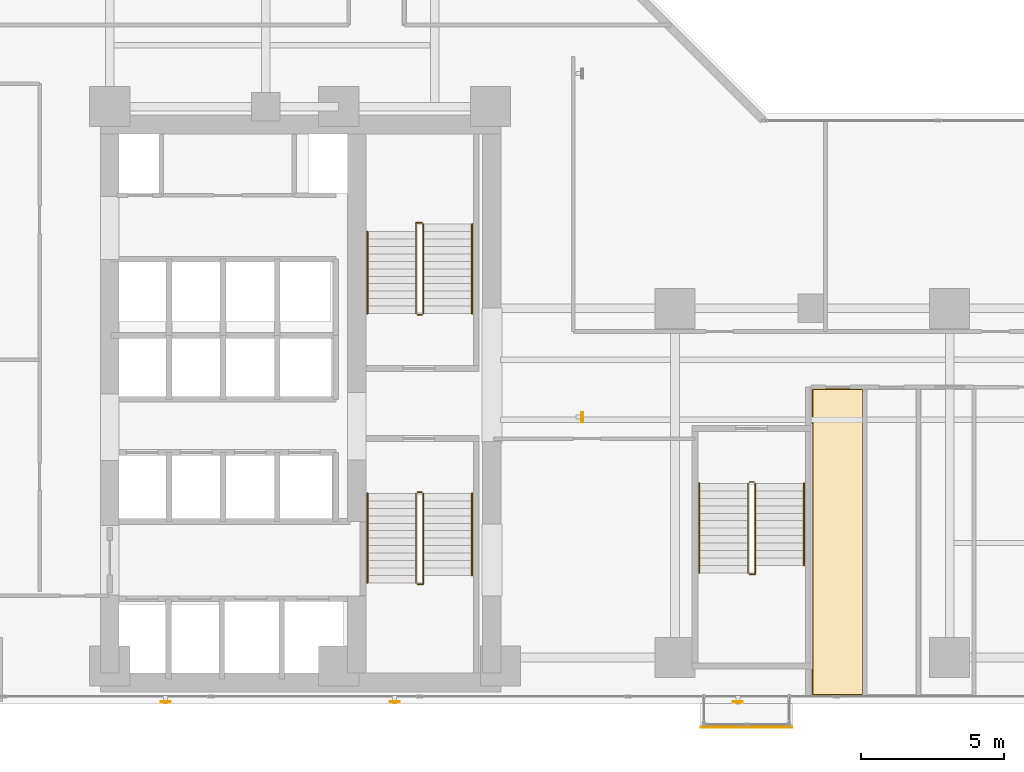
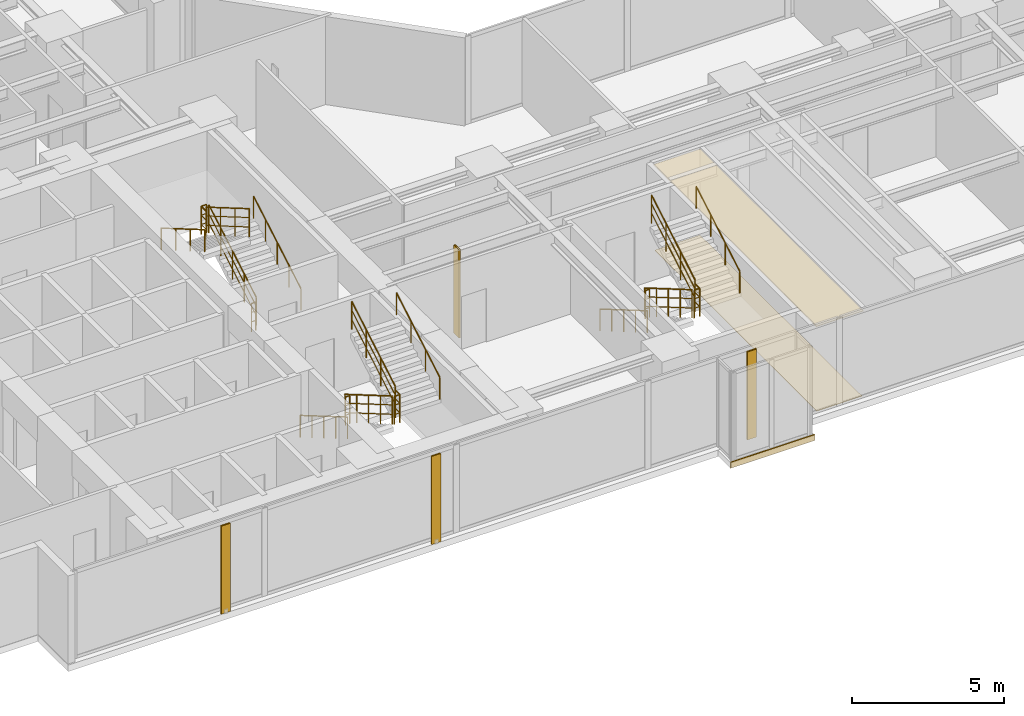
# One storey, part 22 of 24: 18 railings, 4 shading devices, 3 coverings.
"""IFC4 building model written with IfcOpenShell, lengths in metres."""

from ifc_helpers import new_model, si_unit, direction, frame, origin, origin_2d, place, context, subcontext, project, spatial, polyline, rectangle, hollow_rectangle, circle, outline, extrude, material, layer, layer_set, material_profile, profile_set, type_object, element, save


model = new_model("IFC4")

# Units and contexts
model_context = context("Model", 3, precision=1e-05, world=origin(), true_north=direction((0.0, 1.0)))
body_context = subcontext(model_context, "Body", "Model", "MODEL_VIEW")
ifc_project = project(units=[si_unit("LENGTHUNIT", "METRE"), si_unit("AREAUNIT", "SQUARE_METRE"), si_unit("VOLUMEUNIT", "CUBIC_METRE"), si_unit("PLANEANGLEUNIT", "RADIAN"), si_unit("MASSUNIT", "GRAM", prefix="KILO")], contexts=[model_context])

# Site, building, storey
site_placement = place(None, origin())
site = spatial("IfcSite", under=ifc_project, at=site_placement, CompositionType="ELEMENT")
building_placement = place(site_placement, origin())
building = spatial("IfcBuilding", under=site, at=building_placement, Name="Kolvaren Waterfront Exchange", CompositionType="ELEMENT")
storey_placement = place(building_placement, frame((0.0, 0.0, 95.5)))
storey = spatial("IfcBuildingStorey", under=building, at=storey_placement, Name="L24", CompositionType="ELEMENT", Elevation=95.5)

# Coverings
ifc_material_1 = material(Name="Mineral fibre acoustic ceiling tile")
ifc_layer_1 = layer(ifc_material_1, 0.02490234375, Name="Mineral fibre acoustic ceiling tile")
ifc_layer_set_1 = layer_set([ifc_layer_1], Name="Mineral fibre acoustic ceiling tile")
covering_type_1 = type_object("IfcCoveringType", Name="ARC-CEIL-ACOUSTIC-25", PredefinedType="CEILING", material=ifc_layer_set_1)
covering_1_placement = place(storey_placement, frame((0.0, 0.0, 3.425048828125)))
element("IfcCovering", 1, at=covering_1_placement, inside=storey, type_object=covering_type_1, Name="L24 acoustic suspended ceiling 1", PredefinedType="CEILING", context=body_context, shape_type="SweptSolid", body=[
    extrude(outline(polyline([(33.784912109375, 3.864990234375), (33.784912109375, 14.594970703125), (31.9951171875, 14.594970703125), (31.9951171875, 13.35009765625), (32.0, 13.35009765625), (32.0, 4.800048828125), (31.9951171875, 4.800048828125), (31.9951171875, 3.864990234375), (33.784912109375, 3.864990234375)])), origin(), (0.0, 0.0, 1.0), 0.02490234375),
])
ifc_material_2 = material(Name="Anodised bronze fascia aluminium", Category="aluminium")
ifc_layer_2 = layer(ifc_material_2, 0.034912109375, Name="Anodised bronze fascia aluminium")
ifc_layer_set_2 = layer_set([ifc_layer_2], Name="Anodised bronze fascia aluminium")
covering_type_2 = type_object("IfcCoveringType", Name="ARC-CLAD-BRONZE-35", PredefinedType="CLADDING", material=ifc_layer_set_2)
covering_2_placement = place(storey_placement, frame((29.699951171875, 2.77001953125, -0.22021484375), z_axis=(0.0, 0.0, 1.0), x_axis=(1.0, 0.0, 0.0)))
element("IfcCovering", 2, at=covering_2_placement, inside=storey, type_object=covering_type_2, Name="L24 ribbed anodised bronze bay-box fascia", PredefinedType="CLADDING", context=body_context, shape_type="SweptSolid", body=[
    extrude(rectangle(XDim=3.199951171875, YDim=0.034912109375, at=origin_2d()), origin(), (0.0, 0.0, 1.0), 0.239990234375),
])

# Shading devices
ifc_material_3 = material(Name="Anodised bronze aluminium 6063-T6", Category="aluminium")
ifc_material_profile = material_profile(ifc_material_3, hollow_rectangle(XDim=0.06005859375, YDim=0.35009765625, WallThickness=0.0048828125, at=origin_2d()), Name="BRZ-FIN-350x60x5")
ifc_profile_set = profile_set([ifc_material_profile], Name="Anodised bronze aluminium 6063-T6")
shading_device_type = type_object("IfcShadingDeviceType", Name="ARC-FIN-350", PredefinedType="USERDEFINED", material=ifc_profile_set)
for number, where, z_axis, x_axis, name in (
    (3, (9.39990234375, 3.639892578125, 0.0), (0.0, 0.0, 1.0), (0.0, -1.0, 0.0), "L24 anodised bronze solar shading fin FIN-L24-S1"),
    (4, (17.39990234375, 3.639892578125, 0.0), (0.0, 0.0, 1.0), (0.0, -1.0, 0.0), "L24 anodised bronze solar shading fin FIN-L24-S2"),
    (5, (29.39990234375, 3.639892578125, 0.0), (0.0, 0.0, 1.0), (0.0, -1.0, 0.0), "L24 anodised bronze solar shading fin FIN-L24-S3"),
    (6, (23.9599609375, 13.60009765625, 0.0), (0.0, 0.0, 1.0), (1.0, 0.0, 0.0), "L24 anodised bronze solar shading fin FIN-L24-E1"),
):
    element("IfcShadingDevice", number, at=place(storey_placement, frame(where, z_axis=z_axis, x_axis=x_axis)), inside=storey, type_object=shading_device_type, Name=name, ObjectType="SOLAR FIN", PredefinedType="USERDEFINED", context=body_context, shape_type="SweptSolid", body=[
        extrude(hollow_rectangle(XDim=0.06005859375, YDim=0.35009765625, WallThickness=0.0048828125, at=origin_2d()), origin(), (0.0, 0.0, 1.0), 3.5400390625),
    ])

# Covering
ifc_material_4 = material(Name="Slip-resistant porcelain tile")
ifc_layer_3 = layer(ifc_material_4, 0.014892578125, Name="Slip-resistant porcelain tile")
ifc_layer_set_3 = layer_set([ifc_layer_3], Name="Slip-resistant porcelain tile")
covering_type_3 = type_object("IfcCoveringType", Name="ARC-FLR-PORC-15", PredefinedType="FLOORING", material=ifc_layer_set_3)
covering_3_placement = place(storey_placement, origin())
element("IfcCovering", 7, at=covering_3_placement, inside=storey, type_object=covering_type_3, Name="L24 floor finish 1", PredefinedType="FLOORING", context=body_context, shape_type="SweptSolid", body=[
    extrude(outline(polyline([(32.030029296875, 14.56005859375), (32.030029296875, 3.89990234375), (33.75, 3.89990234375), (33.75, 14.56005859375), (32.030029296875, 14.56005859375)])), origin(), (0.0, 0.0, 1.0), 0.014892578125),
])

# Railings
ifc_material_5 = material(Name="Stainless steel 316", Category="steel")
railing_type_1 = type_object("IfcRailingType", Name="ARC-GUARD-STAIR", PredefinedType="GUARDRAIL", material=ifc_material_5)
railing_1_placement = place(storey_placement, frame((18.14990234375, 10.929931640625, 0.152099609375)))
element("IfcRailing", 8, at=railing_1_placement, inside=storey, type_object=railing_type_1, Name="L24 ST1 stair guard 1", PredefinedType="GUARDRAIL", context=body_context, shape_type="SweptSolid", body=[
    extrude(circle(Radius=0.02392578125, at=origin_2d()), frame((0.0, 0.0, 1.1259765625), z_axis=(0.0, -0.86329090724, 0.504706656858), x_axis=(1.0, 0.0, 0.0)), (0.0, 0.0, 1.0), 3.614013671875),
    extrude(circle(Radius=0.01611328125, at=origin_2d()), frame((0.0, 0.0, 0.390869140625), z_axis=(0.0, -0.86329090724, 0.504706656858), x_axis=(1.0, 0.0, 0.0)), (0.0, 0.0, 1.0), 3.614013671875),
    extrude(circle(Radius=0.01611328125, at=origin_2d()), frame((0.0, 0.0, 0.7705078125), z_axis=(0.0, -0.86329090724, 0.504706656858), x_axis=(1.0, 0.0, 0.0)), (0.0, 0.0, 1.0), 3.614013671875),
    extrude(circle(Radius=0.02099609375, at=origin_2d()), origin(), (0.0, 0.0, 1.0), 1.101806640625),
    extrude(circle(Radius=0.02099609375, at=origin_2d()), frame((0.0, -0.780029296875, 0.4560546875)), (0.0, 0.0, 1.0), 1.101806640625),
    extrude(circle(Radius=0.02099609375, at=origin_2d()), frame((0.0, -1.56005859375, 0.912109375)), (0.0, 0.0, 1.0), 1.101806640625),
    extrude(circle(Radius=0.02099609375, at=origin_2d()), frame((0.0, -2.33984375, 1.367919921875)), (0.0, 0.0, 1.0), 1.101806640625),
    extrude(circle(Radius=0.02099609375, at=origin_2d()), frame((0.0, -3.119873046875, 1.823974609375)), (0.0, 0.0, 1.0), 1.101806640625),
])
railing_2_placement = place(storey_placement, frame((18.199951171875, 7.760009765625, 1.97607421875)))
element("IfcRailing", 9, at=railing_2_placement, inside=storey, type_object=railing_type_1, Name="L24 ST1 stair guard 2", PredefinedType="GUARDRAIL", context=body_context, shape_type="SweptSolid", body=[
    extrude(circle(Radius=0.02392578125, at=origin_2d()), frame((0.0, 0.0, 1.1259765625), z_axis=(1.0, 0.0, 0.0), x_axis=(0.0, 1.0, 0.0)), (0.0, 0.0, 1.0), 0.2099609375),
    extrude(circle(Radius=0.01611328125, at=origin_2d()), frame((0.0, 0.0, 0.390869140625), z_axis=(1.0, 0.0, 0.0), x_axis=(0.0, 1.0, 0.0)), (0.0, 0.0, 1.0), 0.2099609375),
    extrude(circle(Radius=0.01611328125, at=origin_2d()), frame((0.0, 0.0, 0.7705078125), z_axis=(1.0, 0.0, 0.0), x_axis=(0.0, 1.0, 0.0)), (0.0, 0.0, 1.0), 0.2099609375),
    extrude(circle(Radius=0.02392578125, at=origin_2d()), frame((0.2099609375, 0.0, 1.1259765625), z_axis=(0.0, 1.0, 0.0), x_axis=(-1.0, 0.0, 0.0)), (0.0, 0.0, 1.0), 0.31005859375),
    extrude(circle(Radius=0.01611328125, at=origin_2d()), frame((0.2099609375, 0.0, 0.390869140625), z_axis=(0.0, 1.0, 0.0), x_axis=(-1.0, 0.0, 0.0)), (0.0, 0.0, 1.0), 0.31005859375),
    extrude(circle(Radius=0.01611328125, at=origin_2d()), frame((0.2099609375, 0.0, 0.7705078125), z_axis=(0.0, 1.0, 0.0), x_axis=(-1.0, 0.0, 0.0)), (0.0, 0.0, 1.0), 0.31005859375),
    extrude(circle(Radius=0.02099609375, at=origin_2d()), origin(), (0.0, 0.0, 1.0), 1.101806640625),
    extrude(circle(Radius=0.02099609375, at=origin_2d()), frame((0.2099609375, 0.0, 0.0)), (0.0, 0.0, 1.0), 1.101806640625),
    extrude(circle(Radius=0.02099609375, at=origin_2d()), frame((0.2099609375, 0.31005859375, 0.0)), (0.0, 0.0, 1.0), 1.101806640625),
])
railing_3_placement = place(storey_placement, frame((18.409912109375, 8.070068359375, 2.1279296875)))
element("IfcRailing", 10, at=railing_3_placement, inside=storey, type_object=railing_type_1, Name="L24 ST1 stair guard 3", PredefinedType="GUARDRAIL", context=body_context, shape_type="SweptSolid", body=[
    extrude(circle(Radius=0.02392578125, at=origin_2d()), frame((0.0, 0.0, 1.1259765625), z_axis=(0.0, 0.863270611444, 0.50474137082), x_axis=(-1.0, 0.0, 0.0)), (0.0, 0.0, 1.0), 3.312744140625),
    extrude(circle(Radius=0.01611328125, at=origin_2d()), frame((0.0, 0.0, 0.390869140625), z_axis=(0.0, 0.863270611444, 0.50474137082), x_axis=(-1.0, 0.0, 0.0)), (0.0, 0.0, 1.0), 3.312744140625),
    extrude(circle(Radius=0.01611328125, at=origin_2d()), frame((0.0, 0.0, 0.7705078125), z_axis=(0.0, 0.863270611444, 0.50474137082), x_axis=(-1.0, 0.0, 0.0)), (0.0, 0.0, 1.0), 3.312744140625),
    extrude(circle(Radius=0.02099609375, at=origin_2d()), origin(), (0.0, 0.0, 1.0), 1.101806640625),
    extrude(circle(Radius=0.02099609375, at=origin_2d()), frame((0.0, 0.953369140625, 0.557373046875)), (0.0, 0.0, 1.0), 1.101806640625),
    extrude(circle(Radius=0.02099609375, at=origin_2d()), frame((0.0, 1.906494140625, 1.11474609375)), (0.0, 0.0, 1.0), 1.101806640625),
    extrude(circle(Radius=0.02099609375, at=origin_2d()), frame((0.0, 2.85986328125, 1.672119140625)), (0.0, 0.0, 1.0), 1.101806640625),
])
railing_4_placement = place(storey_placement, frame((18.199951171875, 10.97998046875, 0.0)))
element("IfcRailing", 11, at=railing_4_placement, inside=storey, type_object=railing_type_1, Name="L24 ST1 stair guard 4", PredefinedType="GUARDRAIL", context=body_context, shape_type="SweptSolid", body=[
    extrude(circle(Radius=0.02392578125, at=origin_2d()), frame((0.0, 0.0, 1.1259765625), z_axis=(1.0, 0.0, 0.0), x_axis=(0.0, 1.0, 0.0)), (0.0, 0.0, 1.0), 0.16015625),
    extrude(circle(Radius=0.01611328125, at=origin_2d()), frame((0.0, 0.0, 0.390869140625), z_axis=(1.0, 0.0, 0.0), x_axis=(0.0, 1.0, 0.0)), (0.0, 0.0, 1.0), 0.16015625),
    extrude(circle(Radius=0.01611328125, at=origin_2d()), frame((0.0, 0.0, 0.7705078125), z_axis=(1.0, 0.0, 0.0), x_axis=(0.0, 1.0, 0.0)), (0.0, 0.0, 1.0), 0.16015625),
    extrude(circle(Radius=0.02099609375, at=origin_2d()), origin(), (0.0, 0.0, 1.0), 1.101806640625),
    extrude(circle(Radius=0.02099609375, at=origin_2d()), frame((0.16015625, 0.0, 0.0)), (0.0, 0.0, 1.0), 1.101806640625),
])
railing_5_placement = place(storey_placement, frame((18.409912109375, 17.219970703125, 0.152099609375)))
element("IfcRailing", 12, at=railing_5_placement, inside=storey, type_object=railing_type_1, Name="L24 ST2 stair guard 1", PredefinedType="GUARDRAIL", context=body_context, shape_type="SweptSolid", body=[
    extrude(circle(Radius=0.02392578125, at=origin_2d()), frame((0.0, 0.0, 1.1259765625), z_axis=(0.0, 0.86330811405, 0.504677223793), x_axis=(-1.0, 0.0, 0.0)), (0.0, 0.0, 1.0), 3.6142578125),
    extrude(circle(Radius=0.01611328125, at=origin_2d()), frame((0.0, 0.0, 0.390869140625), z_axis=(0.0, 0.86330811405, 0.504677223793), x_axis=(-1.0, 0.0, 0.0)), (0.0, 0.0, 1.0), 3.6142578125),
    extrude(circle(Radius=0.01611328125, at=origin_2d()), frame((0.0, 0.0, 0.7705078125), z_axis=(0.0, 0.86330811405, 0.504677223793), x_axis=(-1.0, 0.0, 0.0)), (0.0, 0.0, 1.0), 3.6142578125),
    extrude(circle(Radius=0.02099609375, at=origin_2d()), origin(), (0.0, 0.0, 1.0), 1.101806640625),
    extrude(circle(Radius=0.02099609375, at=origin_2d()), frame((0.0, 0.780029296875, 0.4560546875)), (0.0, 0.0, 1.0), 1.101806640625),
    extrude(circle(Radius=0.02099609375, at=origin_2d()), frame((0.0, 1.56005859375, 0.912109375)), (0.0, 0.0, 1.0), 1.101806640625),
    extrude(circle(Radius=0.02099609375, at=origin_2d()), frame((0.0, 2.340087890625, 1.367919921875)), (0.0, 0.0, 1.0), 1.101806640625),
    extrude(circle(Radius=0.02099609375, at=origin_2d()), frame((0.0, 3.1201171875, 1.823974609375)), (0.0, 0.0, 1.0), 1.101806640625),
])
railing_6_placement = place(storey_placement, frame((18.360107421875, 20.389892578125, 1.97607421875)))
element("IfcRailing", 13, at=railing_6_placement, inside=storey, type_object=railing_type_1, Name="L24 ST2 stair guard 2", PredefinedType="GUARDRAIL", context=body_context, shape_type="SweptSolid", body=[
    extrude(circle(Radius=0.02392578125, at=origin_2d()), frame((0.0, 0.0, 1.1259765625), z_axis=(-1.0, 0.0, 0.0), x_axis=(0.0, -1.0, 0.0)), (0.0, 0.0, 1.0), 0.210205078125),
    extrude(circle(Radius=0.01611328125, at=origin_2d()), frame((0.0, 0.0, 0.390869140625), z_axis=(-1.0, 0.0, 0.0), x_axis=(0.0, -1.0, 0.0)), (0.0, 0.0, 1.0), 0.210205078125),
    extrude(circle(Radius=0.01611328125, at=origin_2d()), frame((0.0, 0.0, 0.7705078125), z_axis=(-1.0, 0.0, 0.0), x_axis=(0.0, -1.0, 0.0)), (0.0, 0.0, 1.0), 0.210205078125),
    extrude(circle(Radius=0.02392578125, at=origin_2d()), frame((-0.210205078125, 0.0, 1.1259765625), z_axis=(0.0, -1.0, 0.0), x_axis=(1.0, 0.0, 0.0)), (0.0, 0.0, 1.0), 0.309814453125),
    extrude(circle(Radius=0.01611328125, at=origin_2d()), frame((-0.210205078125, 0.0, 0.390869140625), z_axis=(0.0, -1.0, 0.0), x_axis=(1.0, 0.0, 0.0)), (0.0, 0.0, 1.0), 0.309814453125),
    extrude(circle(Radius=0.01611328125, at=origin_2d()), frame((-0.210205078125, 0.0, 0.7705078125), z_axis=(0.0, -1.0, 0.0), x_axis=(1.0, 0.0, 0.0)), (0.0, 0.0, 1.0), 0.309814453125),
    extrude(circle(Radius=0.02099609375, at=origin_2d()), origin(), (0.0, 0.0, 1.0), 1.101806640625),
    extrude(circle(Radius=0.02099609375, at=origin_2d()), frame((-0.210205078125, 0.0, 0.0)), (0.0, 0.0, 1.0), 1.101806640625),
    extrude(circle(Radius=0.02099609375, at=origin_2d()), frame((-0.210205078125, -0.309814453125, 0.0)), (0.0, 0.0, 1.0), 1.101806640625),
])
railing_7_placement = place(storey_placement, frame((18.14990234375, 20.080078125, 2.1279296875)))
element("IfcRailing", 14, at=railing_7_placement, inside=storey, type_object=railing_type_1, Name="L24 ST2 stair guard 3", PredefinedType="GUARDRAIL", context=body_context, shape_type="SweptSolid", body=[
    extrude(circle(Radius=0.02392578125, at=origin_2d()), frame((0.0, 0.0, 1.1259765625), z_axis=(0.0, -0.863289384635, 0.504709261235), x_axis=(1.0, 0.0, 0.0)), (0.0, 0.0, 1.0), 3.31298828125),
    extrude(circle(Radius=0.01611328125, at=origin_2d()), frame((0.0, 0.0, 0.390869140625), z_axis=(0.0, -0.863289384635, 0.504709261235), x_axis=(1.0, 0.0, 0.0)), (0.0, 0.0, 1.0), 3.31298828125),
    extrude(circle(Radius=0.01611328125, at=origin_2d()), frame((0.0, 0.0, 0.7705078125), z_axis=(0.0, -0.863289384635, 0.504709261235), x_axis=(1.0, 0.0, 0.0)), (0.0, 0.0, 1.0), 3.31298828125),
    extrude(circle(Radius=0.02099609375, at=origin_2d()), origin(), (0.0, 0.0, 1.0), 1.101806640625),
    extrude(circle(Radius=0.02099609375, at=origin_2d()), frame((0.0, -0.953369140625, 0.557373046875)), (0.0, 0.0, 1.0), 1.101806640625),
    extrude(circle(Radius=0.02099609375, at=origin_2d()), frame((0.0, -1.90673828125, 1.11474609375)), (0.0, 0.0, 1.0), 1.101806640625),
    extrude(circle(Radius=0.02099609375, at=origin_2d()), frame((0.0, -2.860107421875, 1.672119140625)), (0.0, 0.0, 1.0), 1.101806640625),
])
railing_8_placement = place(storey_placement, frame((18.360107421875, 17.169921875, 0.0)))
element("IfcRailing", 15, at=railing_8_placement, inside=storey, type_object=railing_type_1, Name="L24 ST2 stair guard 4", PredefinedType="GUARDRAIL", context=body_context, shape_type="SweptSolid", body=[
    extrude(circle(Radius=0.02392578125, at=origin_2d()), frame((0.0, 0.0, 1.1259765625), z_axis=(-1.0, 0.0, 0.0), x_axis=(0.0, -1.0, 0.0)), (0.0, 0.0, 1.0), 0.16015625),
    extrude(circle(Radius=0.01611328125, at=origin_2d()), frame((0.0, 0.0, 0.390869140625), z_axis=(-1.0, 0.0, 0.0), x_axis=(0.0, -1.0, 0.0)), (0.0, 0.0, 1.0), 0.16015625),
    extrude(circle(Radius=0.01611328125, at=origin_2d()), frame((0.0, 0.0, 0.7705078125), z_axis=(-1.0, 0.0, 0.0), x_axis=(0.0, -1.0, 0.0)), (0.0, 0.0, 1.0), 0.16015625),
    extrude(circle(Radius=0.02099609375, at=origin_2d()), origin(), (0.0, 0.0, 1.0), 1.101806640625),
    extrude(circle(Radius=0.02099609375, at=origin_2d()), frame((-0.16015625, 0.0, 0.0)), (0.0, 0.0, 1.0), 1.101806640625),
])
railing_9_placement = place(storey_placement, frame((29.75, 11.280029296875, 0.152099609375)))
element("IfcRailing", 16, at=railing_9_placement, inside=storey, type_object=railing_type_1, Name="L24 ST3 stair guard 1", PredefinedType="GUARDRAIL", context=body_context, shape_type="SweptSolid", body=[
    extrude(circle(Radius=0.02392578125, at=origin_2d()), frame((0.0, 0.0, 1.1259765625), z_axis=(0.0, -0.86330811405, 0.504677223793), x_axis=(1.0, 0.0, 0.0)), (0.0, 0.0, 1.0), 3.6142578125),
    extrude(circle(Radius=0.01611328125, at=origin_2d()), frame((0.0, 0.0, 0.390869140625), z_axis=(0.0, -0.86330811405, 0.504677223793), x_axis=(1.0, 0.0, 0.0)), (0.0, 0.0, 1.0), 3.6142578125),
    extrude(circle(Radius=0.01611328125, at=origin_2d()), frame((0.0, 0.0, 0.7705078125), z_axis=(0.0, -0.86330811405, 0.504677223793), x_axis=(1.0, 0.0, 0.0)), (0.0, 0.0, 1.0), 3.6142578125),
    extrude(circle(Radius=0.02099609375, at=origin_2d()), origin(), (0.0, 0.0, 1.0), 1.101806640625),
    extrude(circle(Radius=0.02099609375, at=origin_2d()), frame((0.0, -0.780029296875, 0.4560546875)), (0.0, 0.0, 1.0), 1.101806640625),
    extrude(circle(Radius=0.02099609375, at=origin_2d()), frame((0.0, -1.56005859375, 0.912109375)), (0.0, 0.0, 1.0), 1.101806640625),
    extrude(circle(Radius=0.02099609375, at=origin_2d()), frame((0.0, -2.340087890625, 1.367919921875)), (0.0, 0.0, 1.0), 1.101806640625),
    extrude(circle(Radius=0.02099609375, at=origin_2d()), frame((0.0, -3.1201171875, 1.823974609375)), (0.0, 0.0, 1.0), 1.101806640625),
])
railing_10_placement = place(storey_placement, frame((29.800048828125, 8.110107421875, 1.97607421875)))
element("IfcRailing", 17, at=railing_10_placement, inside=storey, type_object=railing_type_1, Name="L24 ST3 stair guard 2", PredefinedType="GUARDRAIL", context=body_context, shape_type="SweptSolid", body=[
    extrude(circle(Radius=0.02392578125, at=origin_2d()), frame((0.0, 0.0, 1.1259765625), z_axis=(1.0, 0.0, 0.0), x_axis=(0.0, 1.0, 0.0)), (0.0, 0.0, 1.0), 0.2099609375),
    extrude(circle(Radius=0.01611328125, at=origin_2d()), frame((0.0, 0.0, 0.390869140625), z_axis=(1.0, 0.0, 0.0), x_axis=(0.0, 1.0, 0.0)), (0.0, 0.0, 1.0), 0.2099609375),
    extrude(circle(Radius=0.01611328125, at=origin_2d()), frame((0.0, 0.0, 0.7705078125), z_axis=(1.0, 0.0, 0.0), x_axis=(0.0, 1.0, 0.0)), (0.0, 0.0, 1.0), 0.2099609375),
    extrude(circle(Radius=0.02392578125, at=origin_2d()), frame((0.2099609375, 0.0, 1.1259765625), z_axis=(0.0, 1.0, 0.0), x_axis=(-1.0, 0.0, 0.0)), (0.0, 0.0, 1.0), 0.309814453125),
    extrude(circle(Radius=0.01611328125, at=origin_2d()), frame((0.2099609375, 0.0, 0.390869140625), z_axis=(0.0, 1.0, 0.0), x_axis=(-1.0, 0.0, 0.0)), (0.0, 0.0, 1.0), 0.309814453125),
    extrude(circle(Radius=0.01611328125, at=origin_2d()), frame((0.2099609375, 0.0, 0.7705078125), z_axis=(0.0, 1.0, 0.0), x_axis=(-1.0, 0.0, 0.0)), (0.0, 0.0, 1.0), 0.309814453125),
    extrude(circle(Radius=0.02099609375, at=origin_2d()), origin(), (0.0, 0.0, 1.0), 1.101806640625),
    extrude(circle(Radius=0.02099609375, at=origin_2d()), frame((0.2099609375, 0.0, 0.0)), (0.0, 0.0, 1.0), 1.101806640625),
    extrude(circle(Radius=0.02099609375, at=origin_2d()), frame((0.2099609375, 0.309814453125, 0.0)), (0.0, 0.0, 1.0), 1.101806640625),
])
railing_11_placement = place(storey_placement, frame((30.010009765625, 8.419921875, 2.1279296875)))
element("IfcRailing", 18, at=railing_11_placement, inside=storey, type_object=railing_type_1, Name="L24 ST3 stair guard 3", PredefinedType="GUARDRAIL", context=body_context, shape_type="SweptSolid", body=[
    extrude(circle(Radius=0.02392578125, at=origin_2d()), frame((0.0, 0.0, 1.1259765625), z_axis=(0.0, 0.863289384635, 0.504709261235), x_axis=(-1.0, 0.0, 0.0)), (0.0, 0.0, 1.0), 3.31298828125),
    extrude(circle(Radius=0.01611328125, at=origin_2d()), frame((0.0, 0.0, 0.390869140625), z_axis=(0.0, 0.863289384635, 0.504709261235), x_axis=(-1.0, 0.0, 0.0)), (0.0, 0.0, 1.0), 3.31298828125),
    extrude(circle(Radius=0.01611328125, at=origin_2d()), frame((0.0, 0.0, 0.7705078125), z_axis=(0.0, 0.863289384635, 0.504709261235), x_axis=(-1.0, 0.0, 0.0)), (0.0, 0.0, 1.0), 3.31298828125),
    extrude(circle(Radius=0.02099609375, at=origin_2d()), origin(), (0.0, 0.0, 1.0), 1.101806640625),
    extrude(circle(Radius=0.02099609375, at=origin_2d()), frame((0.0, 0.953369140625, 0.557373046875)), (0.0, 0.0, 1.0), 1.101806640625),
    extrude(circle(Radius=0.02099609375, at=origin_2d()), frame((0.0, 1.90673828125, 1.11474609375)), (0.0, 0.0, 1.0), 1.101806640625),
    extrude(circle(Radius=0.02099609375, at=origin_2d()), frame((0.0, 2.860107421875, 1.672119140625)), (0.0, 0.0, 1.0), 1.101806640625),
])
railing_12_placement = place(storey_placement, frame((29.800048828125, 11.330078125, 0.0)))
element("IfcRailing", 19, at=railing_12_placement, inside=storey, type_object=railing_type_1, Name="L24 ST3 stair guard 4", PredefinedType="GUARDRAIL", context=body_context, shape_type="SweptSolid", body=[
    extrude(circle(Radius=0.02392578125, at=origin_2d()), frame((0.0, 0.0, 1.1259765625), z_axis=(1.0, 0.0, 0.0), x_axis=(0.0, 1.0, 0.0)), (0.0, 0.0, 1.0), 0.159912109375),
    extrude(circle(Radius=0.01611328125, at=origin_2d()), frame((0.0, 0.0, 0.390869140625), z_axis=(1.0, 0.0, 0.0), x_axis=(0.0, 1.0, 0.0)), (0.0, 0.0, 1.0), 0.159912109375),
    extrude(circle(Radius=0.01611328125, at=origin_2d()), frame((0.0, 0.0, 0.7705078125), z_axis=(1.0, 0.0, 0.0), x_axis=(0.0, 1.0, 0.0)), (0.0, 0.0, 1.0), 0.159912109375),
    extrude(circle(Radius=0.02099609375, at=origin_2d()), origin(), (0.0, 0.0, 1.0), 1.101806640625),
    extrude(circle(Radius=0.02099609375, at=origin_2d()), frame((0.159912109375, 0.0, 0.0)), (0.0, 0.0, 1.0), 1.101806640625),
])
railing_type_2 = type_object("IfcRailingType", Name="ARC-HANDRAIL-900", PredefinedType="HANDRAIL", material=ifc_material_5)
railing_13_placement = place(storey_placement, frame((16.449951171875, 10.929931640625, 0.152099609375)))
element("IfcRailing", 20, at=railing_13_placement, inside=storey, type_object=railing_type_2, Name="L24 ST1 stair handrail 1", PredefinedType="HANDRAIL", context=body_context, shape_type="SweptSolid", body=[
    extrude(circle(Radius=0.02392578125, at=origin_2d()), frame((0.0, 0.0, 0.8759765625), z_axis=(0.0, -0.86329090724, 0.504706656858), x_axis=(1.0, 0.0, 0.0)), (0.0, 0.0, 1.0), 3.614013671875),
    extrude(circle(Radius=0.02099609375, at=origin_2d()), origin(), (0.0, 0.0, 1.0), 0.851806640625),
    extrude(circle(Radius=0.02099609375, at=origin_2d()), frame((0.0, -0.780029296875, 0.4560546875)), (0.0, 0.0, 1.0), 0.851806640625),
    extrude(circle(Radius=0.02099609375, at=origin_2d()), frame((0.0, -1.56005859375, 0.912109375)), (0.0, 0.0, 1.0), 0.851806640625),
    extrude(circle(Radius=0.02099609375, at=origin_2d()), frame((0.0, -2.33984375, 1.367919921875)), (0.0, 0.0, 1.0), 0.851806640625),
    extrude(circle(Radius=0.02099609375, at=origin_2d()), frame((0.0, -3.119873046875, 1.823974609375)), (0.0, 0.0, 1.0), 0.851806640625),
])
railing_14_placement = place(storey_placement, frame((20.110107421875, 8.070068359375, 2.1279296875)))
element("IfcRailing", 21, at=railing_14_placement, inside=storey, type_object=railing_type_2, Name="L24 ST1 stair handrail 2", PredefinedType="HANDRAIL", context=body_context, shape_type="SweptSolid", body=[
    extrude(circle(Radius=0.02392578125, at=origin_2d()), frame((0.0, 0.0, 0.8759765625), z_axis=(0.0, 0.863270611444, 0.50474137082), x_axis=(-1.0, 0.0, 0.0)), (0.0, 0.0, 1.0), 3.312744140625),
    extrude(circle(Radius=0.02099609375, at=origin_2d()), origin(), (0.0, 0.0, 1.0), 0.851806640625),
    extrude(circle(Radius=0.02099609375, at=origin_2d()), frame((0.0, 0.953369140625, 0.557373046875)), (0.0, 0.0, 1.0), 0.851806640625),
    extrude(circle(Radius=0.02099609375, at=origin_2d()), frame((0.0, 1.906494140625, 1.11474609375)), (0.0, 0.0, 1.0), 0.851806640625),
    extrude(circle(Radius=0.02099609375, at=origin_2d()), frame((0.0, 2.85986328125, 1.672119140625)), (0.0, 0.0, 1.0), 0.851806640625),
])
railing_15_placement = place(storey_placement, frame((20.110107421875, 17.219970703125, 0.152099609375)))
element("IfcRailing", 22, at=railing_15_placement, inside=storey, type_object=railing_type_2, Name="L24 ST2 stair handrail 1", PredefinedType="HANDRAIL", context=body_context, shape_type="SweptSolid", body=[
    extrude(circle(Radius=0.02392578125, at=origin_2d()), frame((0.0, 0.0, 0.8759765625), z_axis=(0.0, 0.86330811405, 0.504677223793), x_axis=(-1.0, 0.0, 0.0)), (0.0, 0.0, 1.0), 3.6142578125),
    extrude(circle(Radius=0.02099609375, at=origin_2d()), origin(), (0.0, 0.0, 1.0), 0.851806640625),
    extrude(circle(Radius=0.02099609375, at=origin_2d()), frame((0.0, 0.780029296875, 0.4560546875)), (0.0, 0.0, 1.0), 0.851806640625),
    extrude(circle(Radius=0.02099609375, at=origin_2d()), frame((0.0, 1.56005859375, 0.912109375)), (0.0, 0.0, 1.0), 0.851806640625),
    extrude(circle(Radius=0.02099609375, at=origin_2d()), frame((0.0, 2.340087890625, 1.367919921875)), (0.0, 0.0, 1.0), 0.851806640625),
    extrude(circle(Radius=0.02099609375, at=origin_2d()), frame((0.0, 3.1201171875, 1.823974609375)), (0.0, 0.0, 1.0), 0.851806640625),
])
railing_16_placement = place(storey_placement, frame((16.449951171875, 20.080078125, 2.1279296875)))
element("IfcRailing", 23, at=railing_16_placement, inside=storey, type_object=railing_type_2, Name="L24 ST2 stair handrail 2", PredefinedType="HANDRAIL", context=body_context, shape_type="SweptSolid", body=[
    extrude(circle(Radius=0.02392578125, at=origin_2d()), frame((0.0, 0.0, 0.8759765625), z_axis=(0.0, -0.863289384635, 0.504709261235), x_axis=(1.0, 0.0, 0.0)), (0.0, 0.0, 1.0), 3.31298828125),
    extrude(circle(Radius=0.02099609375, at=origin_2d()), origin(), (0.0, 0.0, 1.0), 0.851806640625),
    extrude(circle(Radius=0.02099609375, at=origin_2d()), frame((0.0, -0.953369140625, 0.557373046875)), (0.0, 0.0, 1.0), 0.851806640625),
    extrude(circle(Radius=0.02099609375, at=origin_2d()), frame((0.0, -1.90673828125, 1.11474609375)), (0.0, 0.0, 1.0), 0.851806640625),
    extrude(circle(Radius=0.02099609375, at=origin_2d()), frame((0.0, -2.860107421875, 1.672119140625)), (0.0, 0.0, 1.0), 0.851806640625),
])
railing_17_placement = place(storey_placement, frame((28.050048828125, 11.280029296875, 0.152099609375)))
element("IfcRailing", 24, at=railing_17_placement, inside=storey, type_object=railing_type_2, Name="L24 ST3 stair handrail 1", PredefinedType="HANDRAIL", context=body_context, shape_type="SweptSolid", body=[
    extrude(circle(Radius=0.02392578125, at=origin_2d()), frame((0.0, 0.0, 0.8759765625), z_axis=(0.0, -0.86330811405, 0.504677223793), x_axis=(1.0, 0.0, 0.0)), (0.0, 0.0, 1.0), 3.6142578125),
    extrude(circle(Radius=0.02099609375, at=origin_2d()), origin(), (0.0, 0.0, 1.0), 0.851806640625),
    extrude(circle(Radius=0.02099609375, at=origin_2d()), frame((0.0, -0.780029296875, 0.4560546875)), (0.0, 0.0, 1.0), 0.851806640625),
    extrude(circle(Radius=0.02099609375, at=origin_2d()), frame((0.0, -1.56005859375, 0.912109375)), (0.0, 0.0, 1.0), 0.851806640625),
    extrude(circle(Radius=0.02099609375, at=origin_2d()), frame((0.0, -2.340087890625, 1.367919921875)), (0.0, 0.0, 1.0), 0.851806640625),
    extrude(circle(Radius=0.02099609375, at=origin_2d()), frame((0.0, -3.1201171875, 1.823974609375)), (0.0, 0.0, 1.0), 0.851806640625),
])
railing_18_placement = place(storey_placement, frame((31.7099609375, 8.419921875, 2.1279296875)))
element("IfcRailing", 25, at=railing_18_placement, inside=storey, type_object=railing_type_2, Name="L24 ST3 stair handrail 2", PredefinedType="HANDRAIL", context=body_context, shape_type="SweptSolid", body=[
    extrude(circle(Radius=0.02392578125, at=origin_2d()), frame((0.0, 0.0, 0.8759765625), z_axis=(0.0, 0.863289384635, 0.504709261235), x_axis=(-1.0, 0.0, 0.0)), (0.0, 0.0, 1.0), 3.31298828125),
    extrude(circle(Radius=0.02099609375, at=origin_2d()), origin(), (0.0, 0.0, 1.0), 0.851806640625),
    extrude(circle(Radius=0.02099609375, at=origin_2d()), frame((0.0, 0.953369140625, 0.557373046875)), (0.0, 0.0, 1.0), 0.851806640625),
    extrude(circle(Radius=0.02099609375, at=origin_2d()), frame((0.0, 1.90673828125, 1.11474609375)), (0.0, 0.0, 1.0), 0.851806640625),
    extrude(circle(Radius=0.02099609375, at=origin_2d()), frame((0.0, 2.860107421875, 1.672119140625)), (0.0, 0.0, 1.0), 0.851806640625),
])

save(model, "model.ifc")
